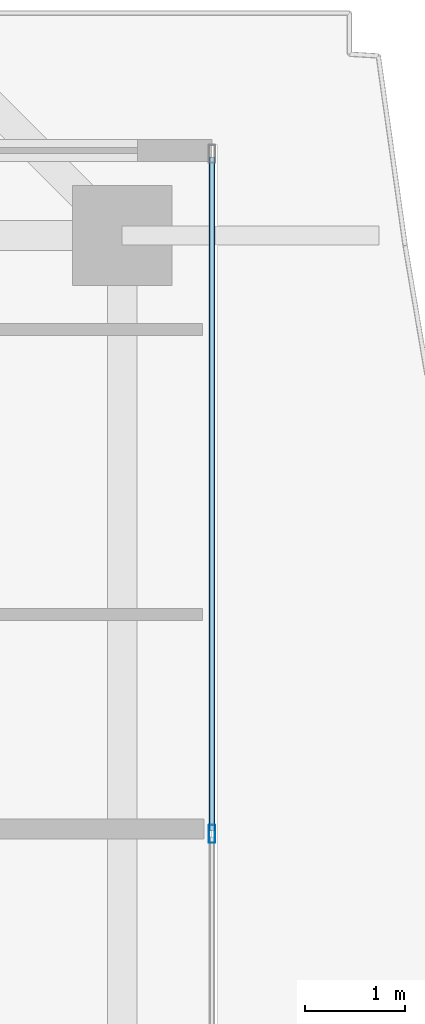
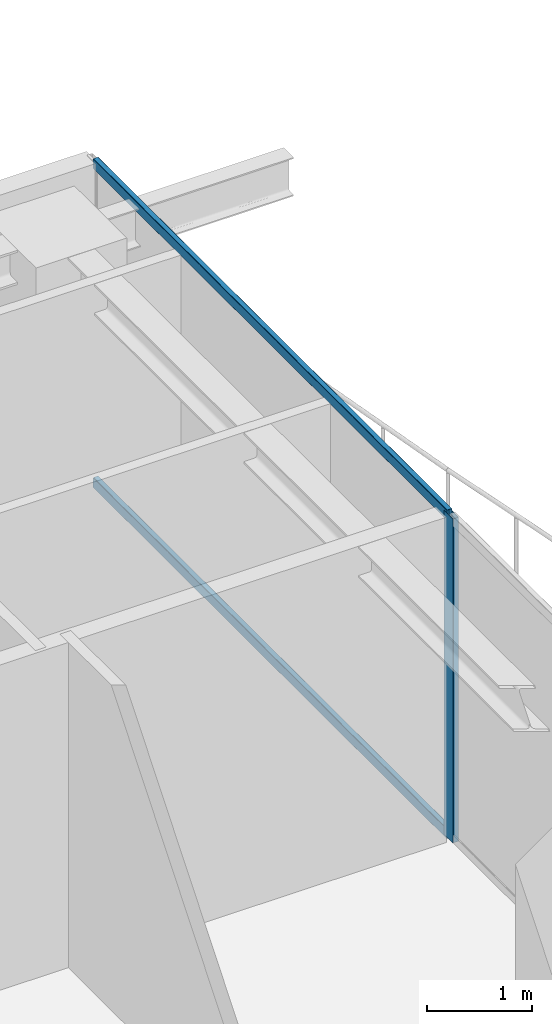
# One storey, part 26 of 42: 3 members, 1 element without a shape of its own.
"""IFC4 building model written with IfcOpenShell, lengths in metres."""

from ifc_helpers import new_model, si_unit, direction, frame, origin, origin_2d, place, context, subcontext, project, spatial, hollow_rectangle, extrude, source, transform, mapped, material, layer, layer_set, material_profile, profile_set, type_object, element, aggregate, save


model = new_model("IFC4")

# Units and contexts
model_context = context("Model", 3, precision=1e-05, world=origin(), true_north=direction((0.0, 1.0)))
body_context = subcontext(model_context, "Body", "Model", "MODEL_VIEW")
ifc_project = project(units=[si_unit("LENGTHUNIT", "METRE"), si_unit("AREAUNIT", "SQUARE_METRE"), si_unit("VOLUMEUNIT", "CUBIC_METRE"), si_unit("PLANEANGLEUNIT", "RADIAN"), si_unit("MASSUNIT", "GRAM", prefix="KILO")], contexts=[model_context])

# Site, building, storey
site_placement = place(None, origin())
site = spatial("IfcSite", under=ifc_project, at=site_placement, CompositionType="ELEMENT")
building_placement = place(site_placement, origin())
building = spatial("IfcBuilding", under=site, at=building_placement, Name="Serunith Strait Residences", CompositionType="ELEMENT")
storey_placement = place(building_placement, frame((0.0, 0.0, 297.5)))
storey = spatial("IfcBuildingStorey", under=building, at=storey_placement, Name="L74", CompositionType="ELEMENT", Elevation=297.5)

# Curtain wall, members
ifc_material = material(Name="Brushed Stainless-Silver Aluminium", Category="aluminium")
ifc_layer = layer(ifc_material, 0.199951171875, Name="Brushed Stainless-Silver Aluminium")
ifc_layer_set = layer_set([ifc_layer], Name="Brushed Stainless-Silver Aluminium")
curtain_wall_type = type_object("IfcCurtainWallType", Name="CW-SYS5", PredefinedType="NOTDEFINED", material=ifc_layer_set)
curtain_wall_placement = place(storey_placement, origin())
curtain_wall = element("IfcCurtainWall", 1, at=curtain_wall_placement, inside=storey, type_object=curtain_wall_type, Name="L74 E Unitised Fritted Curtain Wall", PredefinedType="NOTDEFINED")
ifc_material_profile_1 = material_profile(ifc_material, hollow_rectangle(XDim=0.06005859375, YDim=0.1201171875, WallThickness=0.00341796875, InnerFilletRadius=0.00537109375, OuterFilletRadius=0.0087890625, at=origin_2d()), Name="ALU 120x60x3.5")
ifc_profile_set_1 = profile_set([ifc_material_profile_1], Name="Brushed Stainless-Silver Aluminium")
member_type_1 = type_object("IfcMemberType", Name="CW-SYS5-TRAN", PredefinedType="USERDEFINED", material=ifc_profile_set_1)
shared_shape_1 = source(origin(), body_context, "Body", "SweptSolid", [
    extrude(hollow_rectangle(XDim=0.06005859375, YDim=0.1201171875, WallThickness=0.00341796875, InnerFilletRadius=0.00537109375, OuterFilletRadius=0.0087890625, at=origin_2d()), origin(), (0.0, 0.0, 1.0), 6.75244140625),
])
member_1_placement = place(storey_placement, frame((55.60009765625, 33.58251953125, 0.030029296875), z_axis=(0.0, 1.0, 0.0), x_axis=(-1.0, 0.0, 0.0)))
member_1 = element("IfcMember", 2, at=member_1_placement, type_object=member_type_1, Name="CW-5 transom 2.1", ObjectType="TRANSOM", PredefinedType="USERDEFINED", context=body_context, shape_type="MappedRepresentation", body=[
    mapped(shared_shape_1, transform((0.0, 0.0, 0.0), scale=1.0)),
])
member_2_placement = place(storey_placement, frame((55.60009765625, 33.58251953125, 3.7451171875), z_axis=(0.0, 1.0, 0.0), x_axis=(-1.0, 0.0, 0.0)))
member_2 = element("IfcMember", 3, at=member_2_placement, type_object=member_type_1, Name="CW-5 transom 2.2", ObjectType="TRANSOM", PredefinedType="USERDEFINED", context=body_context, shape_type="MappedRepresentation", body=[
    mapped(shared_shape_1, transform((0.0, 0.0, 0.0), scale=1.0)),
])
ifc_material_profile_2 = material_profile(ifc_material, hollow_rectangle(XDim=0.06494140625, YDim=0.179931640625, WallThickness=0.00341796875, InnerFilletRadius=0.00537109375, OuterFilletRadius=0.0087890625, at=origin_2d()), Name="ALU 180x65x3.5")
ifc_profile_set_2 = profile_set([ifc_material_profile_2], Name="Brushed Stainless-Silver Aluminium")
member_type_2 = type_object("IfcMemberType", Name="CW-SYS5-MULL", PredefinedType="MULLION", material=ifc_profile_set_2)
shared_shape_2 = source(origin(), body_context, "Body", "SweptSolid", [
    extrude(hollow_rectangle(XDim=0.06494140625, YDim=0.179931640625, WallThickness=0.00341796875, InnerFilletRadius=0.00537109375, OuterFilletRadius=0.0087890625, at=origin_2d()), origin(), (0.0, 0.0, 1.0), 3.77490234375),
])
member_3_placement = place(storey_placement, frame((55.60009765625, 33.550048828125, 0.0), z_axis=(0.0, 0.0, 1.0), x_axis=(-1.0, 0.0, 0.0)))
member_3 = element("IfcMember", 4, at=member_3_placement, type_object=member_type_2, Name="CW-5 mullion 2", PredefinedType="MULLION", context=body_context, shape_type="MappedRepresentation", body=[
    mapped(shared_shape_2, transform((0.0, 0.0, 0.0), scale=1.0)),
])
aggregate(curtain_wall, [member_3, member_1, member_2])

save(model, "model.ifc")
